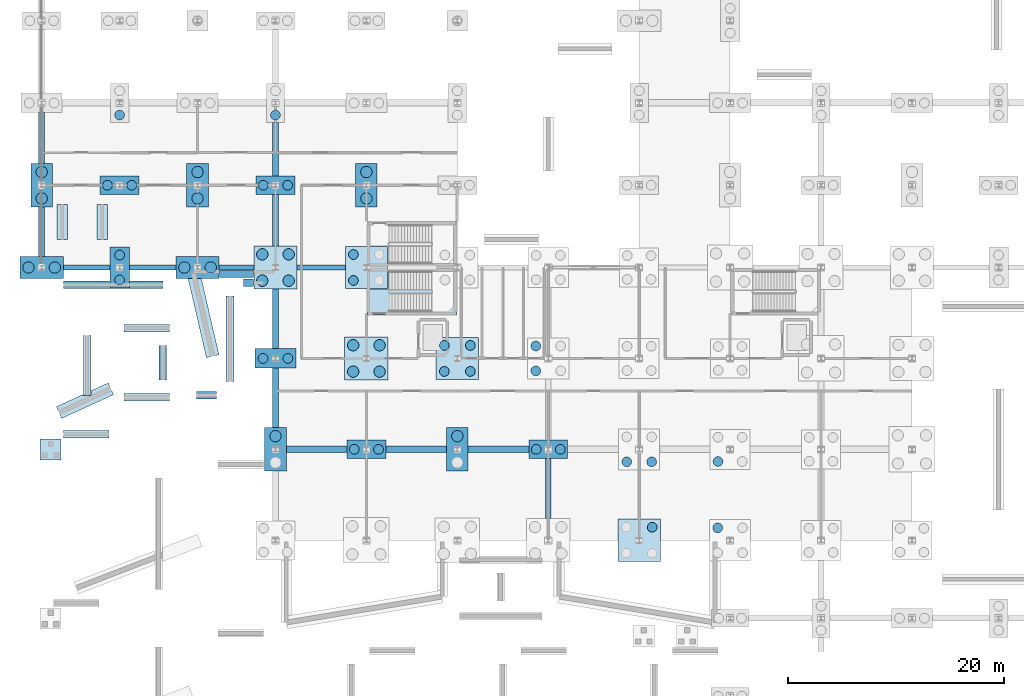
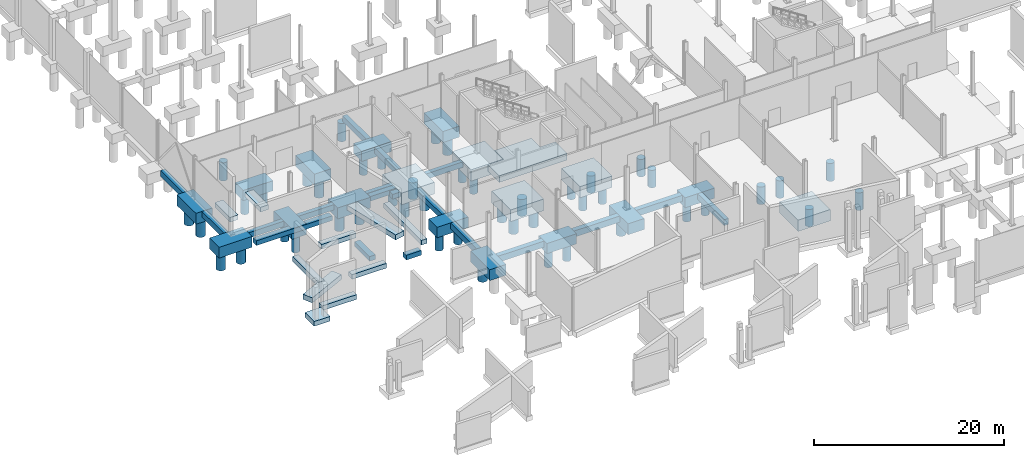
# One storey, part 2 of 61: 48 footings, 47 piles.
"""IFC4 building model written with IfcOpenShell, lengths in metres."""

from ifc_helpers import new_model, si_unit, direction, frame, origin, origin_2d, place, context, subcontext, project, spatial, polyline, rectangle, circle, outline, extrude, material, material_profile, profile_set, type_object, element, save


model = new_model("IFC4")

# Units and contexts
model_context = context("Model", 3, precision=1e-05, world=origin(), true_north=direction((0.0, 1.0)))
body_context = subcontext(model_context, "Body", "Model", "MODEL_VIEW")
ifc_project = project(units=[si_unit("LENGTHUNIT", "METRE"), si_unit("AREAUNIT", "SQUARE_METRE"), si_unit("VOLUMEUNIT", "CUBIC_METRE"), si_unit("PLANEANGLEUNIT", "RADIAN"), si_unit("MASSUNIT", "GRAM", prefix="KILO")], contexts=[model_context])

# Site, building, storey
site_placement = place(None, origin())
site = spatial("IfcSite", under=ifc_project, at=site_placement, CompositionType="ELEMENT")
building_placement = place(site_placement, origin())
building = spatial("IfcBuilding", under=site, at=building_placement, Name="Calvrana Isthmian Art Gallery", CompositionType="ELEMENT")
storey_placement = place(building_placement, frame((0.0, 0.0, -5.39990234375)))
storey = spatial("IfcBuildingStorey", under=building, at=storey_placement, Name="B1", CompositionType="ELEMENT", Elevation=-5.39990234375)

# Footings
ifc_material_1 = material(Name="Concrete C40/50", Category="concrete")
footing_type_1 = type_object("IfcFootingType", Name="FT-MAT-CORE", PredefinedType="PAD_FOOTING", material=ifc_material_1)
footing_1_placement = place(storey_placement, frame((0.0, 0.0, -1.300048828125)))
element("IfcFooting", 1, at=footing_1_placement, inside=storey, type_object=footing_type_1, Name="Core C1 mat footing", PredefinedType="PAD_FOOTING", context=body_context, shape_type="SweptSolid", body=[
    extrude(outline(polyline([(38.320068359375, 42.409912109375), (30.080078125, 42.409912109375), (30.080078125, 44.81005859375), (31.989990234375, 44.81005859375), (31.989990234375, 46.719970703125), (36.4599609375, 46.719970703125), (36.4599609375, 44.860107421875), (38.320068359375, 44.860107421875), (38.320068359375, 42.409912109375)])), origin(), (0.0, 0.0, 1.0), 0.849853515625),
])
ifc_material_2 = material(Name="Concrete C35/45", Category="concrete")
footing_type_2 = type_object("IfcFootingType", Name="FT-PAD-RAMP", PredefinedType="PAD_FOOTING", material=ifc_material_2)
footing_2_placement = place(storey_placement, frame((0.0, 0.0, -1.050048828125)))
element("IfcFooting", 2, at=footing_2_placement, inside=storey, type_object=footing_type_2, Name="Ramp RMP-02 landing pad footing", PredefinedType="PAD_FOOTING", context=body_context, shape_type="SweptSolid", body=[
    extrude(outline(polyline([(1.800048828125, 29.0), (1.800048828125, 30.949951171875), (-0.14990234375, 30.949951171875), (-0.14990234375, 29.0), (1.800048828125, 29.0)])), origin(), (0.0, 0.0, 1.0), 0.599853515625),
])
footing_type_3 = type_object("IfcFootingType", Name="FT-PC-180X380X135", PredefinedType="PILE_CAP", material=ifc_material_2)
footing_3_placement = place(storey_placement, frame((7.199951171875, 46.800048828125, -1.800048828125), z_axis=(0.0, 0.0, 1.0), x_axis=(1.0, 0.0, 0.0)))
element("IfcFooting", 3, at=footing_3_placement, inside=storey, type_object=footing_type_3, Name="Pile cap 02/G", PredefinedType="PILE_CAP", context=body_context, shape_type="SweptSolid", body=[
    extrude(rectangle(XDim=1.800048828125, YDim=3.800048828125, at=origin_2d()), origin(), (0.0, 0.0, 1.0), 1.35009765625),
])
footing_type_4 = type_object("IfcFootingType", Name="FT-PC-200X400X140", PredefinedType="PILE_CAP", material=ifc_material_2)
for number, where, z_axis, x_axis, name in (
    (4, (0.0, 54.39990234375, -1.85009765625), (0.0, 0.0, 1.0), (1.0, 0.0, 0.0), "Pile cap 01/H"),
    (5, (14.39990234375, 54.39990234375, -1.85009765625), (0.0, 0.0, 1.0), (1.0, 0.0, 0.0), "Pile cap 03/H"),
    (6, (21.60009765625, 30.0, -1.85009765625), (0.0, 0.0, 1.0), (1.0, 0.0, 0.0), "Pile cap 04/E"),
    (7, (30.0, 54.39990234375, -1.85009765625), (0.0, 0.0, 1.0), (1.0, 0.0, 0.0), "Pile cap 05/H"),
    (8, (38.39990234375, 30.0, -1.85009765625), (0.0, 0.0, 1.0), (1.0, 0.0, 0.0), "Pile cap 06/E"),
):
    element("IfcFooting", number, at=place(storey_placement, frame(where, z_axis=z_axis, x_axis=x_axis)), inside=storey, type_object=footing_type_4, Name=name, PredefinedType="PILE_CAP", context=body_context, shape_type="SweptSolid", body=[
        extrude(rectangle(XDim=2.0, YDim=4.0, at=origin_2d()), origin(), (0.0, 0.0, 1.0), 1.39990234375),
    ])
footing_type_5 = type_object("IfcFootingType", Name="FT-PC-360X170X130", PredefinedType="PILE_CAP", material=ifc_material_2)
for number, where, z_axis, x_axis, name in (
    (9, (7.199951171875, 54.39990234375, -1.75), (0.0, 0.0, 1.0), (1.0, 0.0, 0.0), "Pile cap 02/H"),
    (10, (21.60009765625, 54.39990234375, -1.75), (0.0, 0.0, 1.0), (1.0, 0.0, 0.0), "Pile cap 04/H"),
    (11, (30.0, 30.0, -1.75), (0.0, 0.0, 1.0), (1.0, 0.0, 0.0), "Pile cap 05/E"),
    (12, (46.800048828125, 30.0, -1.75), (0.0, 0.0, 1.0), (1.0, 0.0, 0.0), "Pile cap 07/E"),
):
    element("IfcFooting", number, at=place(storey_placement, frame(where, z_axis=z_axis, x_axis=x_axis)), inside=storey, type_object=footing_type_5, Name=name, PredefinedType="PILE_CAP", context=body_context, shape_type="SweptSolid", body=[
        extrude(rectangle(XDim=3.60009765625, YDim=1.699951171875, at=origin_2d()), origin(), (0.0, 0.0, 1.0), 1.300048828125),
    ])
footing_type_6 = type_object("IfcFootingType", Name="FT-PC-380X180X135", PredefinedType="PILE_CAP", material=ifc_material_2)
footing_4_placement = place(storey_placement, frame((21.60009765625, 38.39990234375, -1.800048828125), z_axis=(0.0, 0.0, 1.0), x_axis=(1.0, 0.0, 0.0)))
element("IfcFooting", 13, at=footing_4_placement, inside=storey, type_object=footing_type_6, Name="Pile cap 04/F", PredefinedType="PILE_CAP", context=body_context, shape_type="SweptSolid", body=[
    extrude(rectangle(XDim=3.800048828125, YDim=1.800048828125, at=origin_2d()), origin(), (0.0, 0.0, 1.0), 1.35009765625),
])
footing_type_7 = type_object("IfcFootingType", Name="FT-PC-390X390X145", PredefinedType="PILE_CAP", material=ifc_material_2)
for number, where, z_axis, x_axis, name in (
    (14, (30.0, 46.800048828125, -1.89990234375), (0.0, 0.0, 1.0), (1.0, 0.0, 0.0), "Pile cap 05/G"),
    (15, (38.39990234375, 38.39990234375, -1.89990234375), (0.0, 0.0, 1.0), (1.0, 0.0, 0.0), "Pile cap 06/F"),
    (16, (55.199951171875, 21.60009765625, -1.89990234375), (0.0, 0.0, 1.0), (1.0, 0.0, 0.0), "Pile cap 08/D"),
):
    element("IfcFooting", number, at=place(storey_placement, frame(where, z_axis=z_axis, x_axis=x_axis)), inside=storey, type_object=footing_type_7, Name=name, PredefinedType="PILE_CAP", context=body_context, shape_type="SweptSolid", body=[
        extrude(rectangle(XDim=3.89990234375, YDim=3.89990234375, at=origin_2d()), origin(), (0.0, 0.0, 1.0), 1.449951171875),
    ])
footing_type_8 = type_object("IfcFootingType", Name="FT-PC-400X200X140", PredefinedType="PILE_CAP", material=ifc_material_2)
for number, where, z_axis, x_axis, name in (
    (17, (0.0, 46.800048828125, -1.85009765625), (0.0, 0.0, 1.0), (1.0, 0.0, 0.0), "Pile cap 01/G"),
    (18, (14.39990234375, 46.800048828125, -1.85009765625), (0.0, 0.0, 1.0), (1.0, 0.0, 0.0), "Pile cap 03/G"),
):
    element("IfcFooting", number, at=place(storey_placement, frame(where, z_axis=z_axis, x_axis=x_axis)), inside=storey, type_object=footing_type_8, Name=name, PredefinedType="PILE_CAP", context=body_context, shape_type="SweptSolid", body=[
        extrude(rectangle(XDim=4.0, YDim=2.0, at=origin_2d()), origin(), (0.0, 0.0, 1.0), 1.39990234375),
    ])
footing_type_9 = type_object("IfcFootingType", Name="FT-PC-400X400X150", PredefinedType="PILE_CAP", material=ifc_material_2)
for number, where, z_axis, x_axis, name in (
    (19, (21.60009765625, 46.800048828125, -1.9501953125), (0.0, 0.0, 1.0), (1.0, 0.0, 0.0), "Pile cap 04/G"),
    (20, (30.0, 38.39990234375, -1.9501953125), (0.0, 0.0, 1.0), (1.0, 0.0, 0.0), "Pile cap 05/F"),
):
    element("IfcFooting", number, at=place(storey_placement, frame(where, z_axis=z_axis, x_axis=x_axis)), inside=storey, type_object=footing_type_9, Name=name, PredefinedType="PILE_CAP", context=body_context, shape_type="SweptSolid", body=[
        extrude(rectangle(XDim=4.0, YDim=4.0, at=origin_2d()), origin(), (0.0, 0.0, 1.0), 1.5),
    ])
footing_type_10 = type_object("IfcFootingType", Name="FT-SF-1000X600", PredefinedType="STRIP_FOOTING", material=ifc_material_2)
footing_5_placement = place(storey_placement, frame((0.0, 0.0, -1.050048828125)))
element("IfcFooting", 21, at=footing_5_placement, inside=storey, type_object=footing_type_10, Name="Hillside court support wall COURT_STEP_3W-S strip footing", PredefinedType="STRIP_FOOTING", context=body_context, shape_type="SweptSolid", body=[
    extrude(outline(polyline([(2.0, 31.050048828125), (6.199951171875, 31.050048828125), (6.199951171875, 31.75), (2.0, 31.75), (2.0, 31.050048828125)])), origin(), (0.0, 0.0, 1.0), 0.599853515625),
])
footing_6_placement = place(storey_placement, frame((0.0, 0.0, -1.050048828125)))
element("IfcFooting", 22, at=footing_6_placement, inside=storey, type_object=footing_type_10, Name="Hillside court support wall COURT_STEP_3W-N strip footing", PredefinedType="STRIP_FOOTING", context=body_context, shape_type="SweptSolid", body=[
    extrude(outline(polyline([(11.199951171875, 45.550048828125), (11.199951171875, 44.85009765625), (2.0, 44.85009765625), (2.0, 45.550048828125), (6.284912109375, 45.550048828125), (6.284912109375, 44.885009765625), (8.114990234375, 44.885009765625), (8.114990234375, 45.550048828125), (11.199951171875, 45.550048828125)])), origin(), (0.0, 0.0, 1.0), 0.599853515625),
])
footing_7_placement = place(storey_placement, frame((0.0, 0.0, -1.050048828125)))
element("IfcFooting", 23, at=footing_7_placement, inside=storey, type_object=footing_type_10, Name="Hillside court support wall COURT_STEP_3W-M strip footing", PredefinedType="STRIP_FOOTING", context=body_context, shape_type="SweptSolid", body=[
    extrude(outline(polyline([(4.550048828125, 35.0), (4.550048828125, 40.5), (3.85009765625, 40.5), (3.85009765625, 35.0), (4.550048828125, 35.0)])), origin(), (0.0, 0.0, 1.0), 0.599853515625),
])
footing_8_placement = place(storey_placement, frame((0.0, 0.0, -1.050048828125)))
element("IfcFooting", 24, at=footing_8_placement, inside=storey, type_object=footing_type_10, Name="Hillside court support wall COURT_STEP_4W-S strip footing", PredefinedType="STRIP_FOOTING", context=body_context, shape_type="SweptSolid", body=[
    extrude(outline(polyline([(7.60009765625, 34.449951171875), (11.800048828125, 34.449951171875), (11.800048828125, 35.14990234375), (7.60009765625, 35.14990234375), (7.60009765625, 34.449951171875)])), origin(), (0.0, 0.0, 1.0), 0.599853515625),
])
footing_9_placement = place(storey_placement, frame((0.0, 0.0, -1.050048828125)))
element("IfcFooting", 25, at=footing_9_placement, inside=storey, type_object=footing_type_10, Name="Hillside court support wall COURT_STEP_4W-N strip footing", PredefinedType="STRIP_FOOTING", context=body_context, shape_type="SweptSolid", body=[
    extrude(outline(polyline([(7.60009765625, 40.85009765625), (11.800048828125, 40.85009765625), (11.800048828125, 41.550048828125), (7.60009765625, 41.550048828125), (7.60009765625, 40.85009765625)])), origin(), (0.0, 0.0, 1.0), 0.599853515625),
])
footing_10_placement = place(storey_placement, frame((0.0, 0.0, -1.050048828125)))
element("IfcFooting", 26, at=footing_10_placement, inside=storey, type_object=footing_type_10, Name="Hillside court support wall COURT_STEP_4W-M strip footing", PredefinedType="STRIP_FOOTING", context=body_context, shape_type="SweptSolid", body=[
    extrude(outline(polyline([(11.550048828125, 36.39990234375), (11.550048828125, 39.60009765625), (10.85009765625, 39.60009765625), (10.85009765625, 36.39990234375), (11.550048828125, 36.39990234375)])), origin(), (0.0, 0.0, 1.0), 0.599853515625),
])
footing_11_placement = place(storey_placement, frame((0.0, 0.0, -1.050048828125)))
element("IfcFooting", 27, at=footing_11_placement, inside=storey, type_object=footing_type_10, Name="Hillside court support wall COURT_STEP_5W-S strip footing", PredefinedType="STRIP_FOOTING", context=body_context, shape_type="SweptSolid", body=[
    extrude(outline(polyline([(14.300048828125, 34.64990234375), (16.14990234375, 34.64990234375), (16.14990234375, 35.35009765625), (14.300048828125, 35.35009765625), (14.300048828125, 34.64990234375)])), origin(), (0.0, 0.0, 1.0), 0.599853515625),
])
footing_12_placement = place(storey_placement, frame((0.0, 0.0, -1.050048828125)))
element("IfcFooting", 28, at=footing_12_placement, inside=storey, type_object=footing_type_10, Name="Hillside court support wall COURT_STEP_5W-N strip footing", PredefinedType="STRIP_FOOTING", context=body_context, shape_type="SweptSolid", body=[
    extrude(outline(polyline([(18.64990234375, 45.050048828125), (18.64990234375, 45.75), (19.5849609375, 45.75), (19.5849609375, 45.050048828125), (18.64990234375, 45.050048828125)])), origin(), (0.0, 0.0, 1.0), 0.599853515625),
])
footing_13_placement = place(storey_placement, frame((0.0, 0.0, -1.050048828125)))
element("IfcFooting", 29, at=footing_13_placement, inside=storey, type_object=footing_type_10, Name="Hillside court support wall COURT_STEP_5W-M strip footing", PredefinedType="STRIP_FOOTING", context=body_context, shape_type="SweptSolid", body=[
    extrude(outline(polyline([(17.75, 36.25), (17.75, 44.14990234375), (17.050048828125, 44.14990234375), (17.050048828125, 36.25), (17.75, 36.25)])), origin(), (0.0, 0.0, 1.0), 0.599853515625),
])
footing_14_placement = place(storey_placement, frame((0.0, 0.0, -1.050048828125)))
element("IfcFooting", 30, at=footing_14_placement, inside=storey, type_object=footing_type_10, Name="Sunken base return foundation wall PAV_EDU_NW-2 strip footing", PredefinedType="STRIP_FOOTING", context=body_context, shape_type="SweptSolid", body=[
    extrude(outline(polyline([(16.4150390625, 46.534912109375), (19.5849609375, 46.534912109375), (19.5849609375, 45.89990234375), (16.4150390625, 45.89990234375), (16.4150390625, 46.534912109375)])), origin(), (0.0, 0.0, 1.0), 0.599853515625),
])
footing_15_placement = place(storey_placement, frame((0.0, 0.0, -0.60009765625)))
element("IfcFooting", 31, at=footing_15_placement, inside=storey, type_object=footing_type_10, Name="Auditorium raker support wall W strip footing", PredefinedType="STRIP_FOOTING", context=body_context, shape_type="SweptSolid", body=[
    extrude(outline(polyline([(2.39990234375, 49.39990234375), (2.39990234375, 52.60009765625), (1.39990234375, 52.60009765625), (1.39990234375, 49.39990234375), (2.39990234375, 49.39990234375)])), origin(), (0.0, 0.0, 1.0), 0.60009765625),
])
footing_16_placement = place(storey_placement, frame((0.0, 0.0, -0.60009765625)))
element("IfcFooting", 32, at=footing_16_placement, inside=storey, type_object=footing_type_10, Name="Auditorium raker support wall E strip footing", PredefinedType="STRIP_FOOTING", context=body_context, shape_type="SweptSolid", body=[
    extrude(outline(polyline([(6.10009765625, 49.39990234375), (6.10009765625, 52.60009765625), (5.10009765625, 52.60009765625), (5.10009765625, 49.39990234375), (6.10009765625, 49.39990234375)])), origin(), (0.0, 0.0, 1.0), 0.60009765625),
])
footing_type_11 = type_object("IfcFootingType", Name="FT-SF-1200X650", PredefinedType="STRIP_FOOTING", material=ifc_material_2)
footing_17_placement = place(storey_placement, frame((0.0, 0.0, -1.10009765625)))
element("IfcFooting", 33, at=footing_17_placement, inside=storey, type_object=footing_type_11, Name="Angled base foundation wall ACW-03 strip footing", PredefinedType="STRIP_FOOTING", context=body_context, shape_type="SweptSolid", body=[
    extrude(outline(polyline([(16.384521484375, 38.73486328125), (15.21533203125, 38.465087890625), (13.526123046875, 45.784912109375), (14.757568359375, 45.784912109375), (16.384521484375, 38.73486328125)])), origin(), (0.0, 0.0, 1.0), 0.64990234375),
])
footing_18_placement = place(storey_placement, frame((0.0, 0.0, -1.10009765625)))
element("IfcFooting", 34, at=footing_18_placement, inside=storey, type_object=footing_type_11, Name="Angled court foundation wall ACW-06 strip footing", PredefinedType="STRIP_FOOTING", context=body_context, shape_type="SweptSolid", body=[
    extrude(outline(polyline([(6.14990234375, 36.1455078125), (6.64990234375, 35.0546875), (1.85009765625, 32.8544921875), (1.35009765625, 33.9453125), (3.8349609375, 35.08447265625), (3.8349609375, 34.985107421875), (4.56494140625, 34.985107421875), (4.56494140625, 35.4189453125), (6.14990234375, 36.1455078125)])), origin(), (0.0, 0.0, 1.0), 0.64990234375),
])
footing_type_12 = type_object("IfcFootingType", Name="FT-TB-500X700", PredefinedType="FOOTING_BEAM", material=ifc_material_2)
footing_19_placement = place(storey_placement, frame((0.0, 0.0, -1.150146484375)))
element("IfcFooting", 35, at=footing_19_placement, inside=storey, type_object=footing_type_12, Name="Footing tie beam X 00-06", PredefinedType="FOOTING_BEAM", context=body_context, shape_type="SweptSolid", body=[
    extrude(outline(polyline([(2.0, 46.550048828125), (6.300048828125, 46.550048828125), (6.300048828125, 47.050048828125), (2.0, 47.050048828125), (2.0, 46.550048828125)])), origin(), (0.0, 0.0, 1.0), 0.699951171875),
])
footing_20_placement = place(storey_placement, frame((0.0, 0.0, -1.150146484375)))
element("IfcFooting", 36, at=footing_20_placement, inside=storey, type_object=footing_type_12, Name="Footing tie beam X 01-06", PredefinedType="FOOTING_BEAM", context=body_context, shape_type="SweptSolid", body=[
    extrude(outline(polyline([(8.10009765625, 46.550048828125), (12.39990234375, 46.550048828125), (12.39990234375, 47.050048828125), (8.10009765625, 47.050048828125), (8.10009765625, 46.550048828125)])), origin(), (0.0, 0.0, 1.0), 0.699951171875),
])
footing_21_placement = place(storey_placement, frame((0.0, 0.0, -1.150146484375)))
element("IfcFooting", 37, at=footing_21_placement, inside=storey, type_object=footing_type_12, Name="Footing tie beam X 02-06", PredefinedType="FOOTING_BEAM", context=body_context, shape_type="SweptSolid", body=[
    extrude(outline(polyline([(16.39990234375, 46.550048828125), (19.60009765625, 46.550048828125), (19.60009765625, 47.050048828125), (16.39990234375, 47.050048828125), (16.39990234375, 46.550048828125)])), origin(), (0.0, 0.0, 1.0), 0.699951171875),
])
footing_22_placement = place(storey_placement, frame((0.0, 0.0, -1.150146484375)))
element("IfcFooting", 38, at=footing_22_placement, inside=storey, type_object=footing_type_12, Name="Footing tie beam X 03-06", PredefinedType="FOOTING_BEAM", context=body_context, shape_type="SweptSolid", body=[
    extrude(outline(polyline([(23.60009765625, 46.550048828125), (28.050048828125, 46.550048828125), (28.050048828125, 47.050048828125), (23.60009765625, 47.050048828125), (23.60009765625, 46.550048828125)])), origin(), (0.0, 0.0, 1.0), 0.699951171875),
])
footing_type_13 = type_object("IfcFootingType", Name="FT-TB-550X750", PredefinedType="FOOTING_BEAM", material=ifc_material_2)
footing_23_placement = place(storey_placement, frame((0.0, 0.0, -1.2001953125)))
element("IfcFooting", 39, at=footing_23_placement, inside=storey, type_object=footing_type_13, Name="Footing tie beam Y 00-06", PredefinedType="FOOTING_BEAM", context=body_context, shape_type="SweptSolid", body=[
    extrude(outline(polyline([(-0.27490234375, 47.800048828125), (0.27490234375, 47.800048828125), (0.27490234375, 52.39990234375), (-0.27490234375, 52.39990234375), (-0.27490234375, 47.800048828125)])), origin(), (0.0, 0.0, 1.0), 0.75),
])
footing_24_placement = place(storey_placement, frame((0.0, 0.0, -1.2001953125)))
element("IfcFooting", 40, at=footing_24_placement, inside=storey, type_object=footing_type_13, Name="Footing tie beam Y 00-07", PredefinedType="FOOTING_BEAM", context=body_context, shape_type="SweptSolid", body=[
    extrude(outline(polyline([(-0.27490234375, 56.39990234375), (0.27490234375, 56.39990234375), (0.27490234375, 61.10009765625), (-0.27490234375, 61.10009765625), (-0.27490234375, 56.39990234375)])), origin(), (0.0, 0.0, 1.0), 0.75),
])
footing_25_placement = place(storey_placement, frame((0.0, 0.0, -1.2001953125)))
element("IfcFooting", 41, at=footing_25_placement, inside=storey, type_object=footing_type_13, Name="Footing tie beam Y 03-04", PredefinedType="FOOTING_BEAM", context=body_context, shape_type="SweptSolid", body=[
    extrude(outline(polyline([(21.324951171875, 32.0), (21.875, 32.0), (21.875, 37.5), (21.324951171875, 37.5), (21.324951171875, 32.0)])), origin(), (0.0, 0.0, 1.0), 0.75),
])
footing_26_placement = place(storey_placement, frame((0.0, 0.0, -1.2001953125)))
element("IfcFooting", 42, at=footing_26_placement, inside=storey, type_object=footing_type_13, Name="Footing tie beam Y 03-05", PredefinedType="FOOTING_BEAM", context=body_context, shape_type="SweptSolid", body=[
    extrude(outline(polyline([(21.324951171875, 39.300048828125), (21.875, 39.300048828125), (21.875, 44.800048828125), (21.324951171875, 44.800048828125), (21.324951171875, 39.300048828125)])), origin(), (0.0, 0.0, 1.0), 0.75),
])
footing_27_placement = place(storey_placement, frame((0.0, 0.0, -1.2001953125)))
element("IfcFooting", 43, at=footing_27_placement, inside=storey, type_object=footing_type_13, Name="Footing tie beam Y 03-06", PredefinedType="FOOTING_BEAM", context=body_context, shape_type="SweptSolid", body=[
    extrude(outline(polyline([(21.324951171875, 48.800048828125), (21.875, 48.800048828125), (21.875, 53.550048828125), (21.324951171875, 53.550048828125), (21.324951171875, 48.800048828125)])), origin(), (0.0, 0.0, 1.0), 0.75),
])
footing_28_placement = place(storey_placement, frame((0.0, 0.0, -1.2001953125)))
element("IfcFooting", 44, at=footing_28_placement, inside=storey, type_object=footing_type_13, Name="Footing tie beam Y 03-07", PredefinedType="FOOTING_BEAM", context=body_context, shape_type="SweptSolid", body=[
    extrude(outline(polyline([(21.324951171875, 55.25), (21.875, 55.25), (21.875, 60.199951171875), (21.324951171875, 60.199951171875), (21.324951171875, 55.25)])), origin(), (0.0, 0.0, 1.0), 0.75),
])
footing_29_placement = place(storey_placement, frame((0.0, 0.0, -1.2001953125)))
element("IfcFooting", 45, at=footing_29_placement, inside=storey, type_object=footing_type_13, Name="Footing tie beam Y 06-03", PredefinedType="FOOTING_BEAM", context=body_context, shape_type="SweptSolid", body=[
    extrude(outline(polyline([(46.52490234375, 23.60009765625), (47.074951171875, 23.60009765625), (47.074951171875, 29.14990234375), (46.52490234375, 29.14990234375), (46.52490234375, 23.60009765625)])), origin(), (0.0, 0.0, 1.0), 0.75),
])
footing_type_14 = type_object("IfcFootingType", Name="FT-TB-600X800", PredefinedType="FOOTING_BEAM", material=ifc_material_2)
footing_30_placement = place(storey_placement, frame((0.0, 0.0, -1.25)))
element("IfcFooting", 46, at=footing_30_placement, inside=storey, type_object=footing_type_14, Name="Footing tie beam X 03-04", PredefinedType="FOOTING_BEAM", context=body_context, shape_type="SweptSolid", body=[
    extrude(outline(polyline([(22.60009765625, 29.699951171875), (28.199951171875, 29.699951171875), (28.199951171875, 30.300048828125), (22.60009765625, 30.300048828125), (22.60009765625, 29.699951171875)])), origin(), (0.0, 0.0, 1.0), 0.7998046875),
])
footing_31_placement = place(storey_placement, frame((0.0, 0.0, -1.25)))
element("IfcFooting", 47, at=footing_31_placement, inside=storey, type_object=footing_type_14, Name="Footing tie beam X 04-04", PredefinedType="FOOTING_BEAM", context=body_context, shape_type="SweptSolid", body=[
    extrude(outline(polyline([(31.800048828125, 29.699951171875), (37.39990234375, 29.699951171875), (37.39990234375, 30.300048828125), (31.800048828125, 30.300048828125), (31.800048828125, 29.699951171875)])), origin(), (0.0, 0.0, 1.0), 0.7998046875),
])
footing_32_placement = place(storey_placement, frame((0.0, 0.0, -1.25)))
element("IfcFooting", 48, at=footing_32_placement, inside=storey, type_object=footing_type_14, Name="Footing tie beam X 05-04", PredefinedType="FOOTING_BEAM", context=body_context, shape_type="SweptSolid", body=[
    extrude(outline(polyline([(39.39990234375, 29.699951171875), (45.0, 29.699951171875), (45.0, 30.300048828125), (39.39990234375, 30.300048828125), (39.39990234375, 29.699951171875)])), origin(), (0.0, 0.0, 1.0), 0.7998046875),
])

# Piles
ifc_material_profile_1 = material_profile(ifc_material_2, circle(Radius=0.52490234375, at=origin_2d()), Name="PILE1050D")
ifc_profile_set_1 = profile_set([ifc_material_profile_1], Name="Concrete C35/45")
pile_type_1 = type_object("IfcPileType", Name="PILE-D1050", PredefinedType="BORED", material=ifc_profile_set_1)
for number, where, z_axis, x_axis, name in (
    (49, (-1.219970703125, 46.800048828125, -1.75), (0.0, 0.0, -1.0), (1.0, 0.0, 0.0), "Bored pile PL-001"),
    (50, (1.219970703125, 46.800048828125, -1.75), (0.0, 0.0, -1.0), (1.0, 0.0, 0.0), "Bored pile PL-002"),
    (51, (0.0, 53.179931640625, -1.75), (0.0, 0.0, -1.0), (1.0, 0.0, 0.0), "Bored pile PL-003"),
    (52, (0.0, 55.6201171875, -1.75), (0.0, 0.0, -1.0), (1.0, 0.0, 0.0), "Bored pile PL-004"),
    (53, (13.179931640625, 46.800048828125, -1.75), (0.0, 0.0, -1.0), (1.0, 0.0, 0.0), "Bored pile PL-038"),
    (54, (15.6201171875, 46.800048828125, -1.75), (0.0, 0.0, -1.0), (1.0, 0.0, 0.0), "Bored pile PL-039"),
    (55, (14.39990234375, 53.179931640625, -1.75), (0.0, 0.0, -1.0), (1.0, 0.0, 0.0), "Bored pile PL-040"),
    (56, (14.39990234375, 55.6201171875, -1.75), (0.0, 0.0, -1.0), (1.0, 0.0, 0.0), "Bored pile PL-041"),
    (57, (21.60009765625, 31.219970703125, -1.75), (0.0, 0.0, -1.0), (1.0, 0.0, 0.0), "Bored pile PL-061"),
):
    element("IfcPile", number, at=place(storey_placement, frame(where, z_axis=z_axis, x_axis=x_axis)), inside=storey, type_object=pile_type_1, Name=name, PredefinedType="BORED", context=body_context, shape_type="SweptSolid", body=[
        extrude(circle(Radius=0.52490234375, at=origin_2d()), origin(), (0.0, 0.0, 1.0), 2.25),
    ])
for number, where, z_axis, x_axis, name in (
    (58, (20.3798828125, 45.580078125, -1.85009765625), (0.0, 0.0, -1.0), (1.0, 0.0, 0.0), "Bored pile PL-064"),
    (59, (22.820068359375, 45.580078125, -1.85009765625), (0.0, 0.0, -1.0), (1.0, 0.0, 0.0), "Bored pile PL-065"),
    (60, (20.3798828125, 48.02001953125, -1.85009765625), (0.0, 0.0, -1.0), (1.0, 0.0, 0.0), "Bored pile PL-066"),
    (61, (22.820068359375, 48.02001953125, -1.85009765625), (0.0, 0.0, -1.0), (1.0, 0.0, 0.0), "Bored pile PL-067"),
    (62, (28.780029296875, 37.179931640625, -1.85009765625), (0.0, 0.0, -1.0), (1.0, 0.0, 0.0), "Bored pile PL-086"),
    (63, (31.219970703125, 37.179931640625, -1.85009765625), (0.0, 0.0, -1.0), (1.0, 0.0, 0.0), "Bored pile PL-087"),
    (64, (28.780029296875, 39.6201171875, -1.85009765625), (0.0, 0.0, -1.0), (1.0, 0.0, 0.0), "Bored pile PL-088"),
    (65, (31.219970703125, 39.6201171875, -1.85009765625), (0.0, 0.0, -1.0), (1.0, 0.0, 0.0), "Bored pile PL-089"),
):
    element("IfcPile", number, at=place(storey_placement, frame(where, z_axis=z_axis, x_axis=x_axis)), inside=storey, type_object=pile_type_1, Name=name, PredefinedType="BORED", context=body_context, shape_type="SweptSolid", body=[
        extrude(circle(Radius=0.52490234375, at=origin_2d()), origin(), (0.0, 0.0, 1.0), 2.14990234375),
    ])
for number, where, z_axis, x_axis, name in (
    (66, (30.0, 53.179931640625, -1.75), (0.0, 0.0, -1.0), (1.0, 0.0, 0.0), "Bored pile PL-094"),
    (67, (30.0, 55.6201171875, -1.75), (0.0, 0.0, -1.0), (1.0, 0.0, 0.0), "Bored pile PL-095"),
    (68, (38.39990234375, 31.219970703125, -1.75), (0.0, 0.0, -1.0), (1.0, 0.0, 0.0), "Bored pile PL-111"),
):
    element("IfcPile", number, at=place(storey_placement, frame(where, z_axis=z_axis, x_axis=x_axis)), inside=storey, type_object=pile_type_1, Name=name, PredefinedType="BORED", context=body_context, shape_type="SweptSolid", body=[
        extrude(circle(Radius=0.52490234375, at=origin_2d()), origin(), (0.0, 0.0, 1.0), 2.25),
    ])
ifc_material_profile_2 = material_profile(ifc_material_2, circle(Radius=0.449951171875, at=origin_2d()), Name="PILE900D")
ifc_profile_set_2 = profile_set([ifc_material_profile_2], Name="Concrete C35/45")
pile_type_2 = type_object("IfcPileType", Name="PILE-D900", PredefinedType="BORED", material=ifc_profile_set_2)
for number, where, z_axis, x_axis, name in (
    (69, (7.199951171875, 45.64990234375, -1.7001953125), (0.0, 0.0, -1.0), (1.0, 0.0, 0.0), "Bored pile PL-019"),
    (70, (7.199951171875, 47.949951171875, -1.7001953125), (0.0, 0.0, -1.0), (1.0, 0.0, 0.0), "Bored pile PL-020"),
):
    element("IfcPile", number, at=place(storey_placement, frame(where, z_axis=z_axis, x_axis=x_axis)), inside=storey, type_object=pile_type_2, Name=name, PredefinedType="BORED", context=body_context, shape_type="SweptSolid", body=[
        extrude(circle(Radius=0.449951171875, at=origin_2d()), origin(), (0.0, 0.0, 1.0), 2.300048828125),
    ])
for number, where, z_axis, x_axis, name in (
    (71, (6.080078125, 54.39990234375, -1.650146484375), (0.0, 0.0, -1.0), (1.0, 0.0, 0.0), "Bored pile PL-021"),
    (72, (8.320068359375, 54.39990234375, -1.650146484375), (0.0, 0.0, -1.0), (1.0, 0.0, 0.0), "Bored pile PL-022"),
    (73, (7.199951171875, 60.8798828125, -1.650146484375), (0.0, 0.0, -1.0), (1.0, 0.0, 0.0), "Bored pile PL-023"),
):
    element("IfcPile", number, at=place(storey_placement, frame(where, z_axis=z_axis, x_axis=x_axis)), inside=storey, type_object=pile_type_2, Name=name, PredefinedType="BORED", context=body_context, shape_type="SweptSolid", body=[
        extrude(circle(Radius=0.449951171875, at=origin_2d()), origin(), (0.0, 0.0, 1.0), 2.35009765625),
    ])
for number, where, z_axis, x_axis, name in (
    (74, (20.449951171875, 38.39990234375, -1.7001953125), (0.0, 0.0, -1.0), (1.0, 0.0, 0.0), "Bored pile PL-062"),
    (75, (22.75, 38.39990234375, -1.7001953125), (0.0, 0.0, -1.0), (1.0, 0.0, 0.0), "Bored pile PL-063"),
):
    element("IfcPile", number, at=place(storey_placement, frame(where, z_axis=z_axis, x_axis=x_axis)), inside=storey, type_object=pile_type_2, Name=name, PredefinedType="BORED", context=body_context, shape_type="SweptSolid", body=[
        extrude(circle(Radius=0.449951171875, at=origin_2d()), origin(), (0.0, 0.0, 1.0), 2.300048828125),
    ])
for number, where, z_axis, x_axis, name in (
    (76, (20.47998046875, 54.39990234375, -1.650146484375), (0.0, 0.0, -1.0), (1.0, 0.0, 0.0), "Bored pile PL-068"),
    (77, (22.719970703125, 54.39990234375, -1.650146484375), (0.0, 0.0, -1.0), (1.0, 0.0, 0.0), "Bored pile PL-069"),
    (78, (21.60009765625, 60.8798828125, -1.650146484375), (0.0, 0.0, -1.0), (1.0, 0.0, 0.0), "Bored pile PL-070"),
    (79, (28.8798828125, 30.0, -1.650146484375), (0.0, 0.0, -1.0), (1.0, 0.0, 0.0), "Bored pile PL-084"),
    (80, (31.1201171875, 30.0, -1.650146484375), (0.0, 0.0, -1.0), (1.0, 0.0, 0.0), "Bored pile PL-085"),
):
    element("IfcPile", number, at=place(storey_placement, frame(where, z_axis=z_axis, x_axis=x_axis)), inside=storey, type_object=pile_type_2, Name=name, PredefinedType="BORED", context=body_context, shape_type="SweptSolid", body=[
        extrude(circle(Radius=0.449951171875, at=origin_2d()), origin(), (0.0, 0.0, 1.0), 2.35009765625),
    ])
for number, where, z_axis, x_axis, name in (
    (81, (28.800048828125, 45.60009765625, -1.800048828125), (0.0, 0.0, -1.0), (1.0, 0.0, 0.0), "Bored pile PL-090"),
    (82, (28.800048828125, 48.0, -1.800048828125), (0.0, 0.0, -1.0), (1.0, 0.0, 0.0), "Bored pile PL-092"),
    (83, (37.199951171875, 37.199951171875, -1.800048828125), (0.0, 0.0, -1.0), (1.0, 0.0, 0.0), "Bored pile PL-112"),
    (84, (39.60009765625, 37.199951171875, -1.800048828125), (0.0, 0.0, -1.0), (1.0, 0.0, 0.0), "Bored pile PL-113"),
    (85, (37.199951171875, 39.60009765625, -1.800048828125), (0.0, 0.0, -1.0), (1.0, 0.0, 0.0), "Bored pile PL-114"),
    (86, (39.60009765625, 39.60009765625, -1.800048828125), (0.0, 0.0, -1.0), (1.0, 0.0, 0.0), "Bored pile PL-115"),
):
    element("IfcPile", number, at=place(storey_placement, frame(where, z_axis=z_axis, x_axis=x_axis)), inside=storey, type_object=pile_type_2, Name=name, PredefinedType="BORED", context=body_context, shape_type="SweptSolid", body=[
        extrude(circle(Radius=0.449951171875, at=origin_2d()), origin(), (0.0, 0.0, 1.0), 2.199951171875),
    ])
for number, where, z_axis, x_axis, name in (
    (87, (45.679931640625, 30.0, -1.650146484375), (0.0, 0.0, -1.0), (1.0, 0.0, 0.0), "Bored pile PL-135"),
    (88, (47.919921875, 30.0, -1.650146484375), (0.0, 0.0, -1.0), (1.0, 0.0, 0.0), "Bored pile PL-136"),
):
    element("IfcPile", number, at=place(storey_placement, frame(where, z_axis=z_axis, x_axis=x_axis)), inside=storey, type_object=pile_type_2, Name=name, PredefinedType="BORED", context=body_context, shape_type="SweptSolid", body=[
        extrude(circle(Radius=0.449951171875, at=origin_2d()), origin(), (0.0, 0.0, 1.0), 2.35009765625),
    ])
for number, where, z_axis, x_axis, name in (
    (89, (45.64990234375, 37.25, -1.75), (0.0, 0.0, -1.0), (1.0, 0.0, 0.0), "Bored pile PL-137"),
    (90, (45.64990234375, 39.550048828125, -1.75), (0.0, 0.0, -1.0), (1.0, 0.0, 0.0), "Bored pile PL-139"),
):
    element("IfcPile", number, at=place(storey_placement, frame(where, z_axis=z_axis, x_axis=x_axis)), inside=storey, type_object=pile_type_2, Name=name, PredefinedType="BORED", context=body_context, shape_type="SweptSolid", body=[
        extrude(circle(Radius=0.449951171875, at=origin_2d()), origin(), (0.0, 0.0, 1.0), 2.25),
    ])
pile_1_placement = place(storey_placement, frame((56.39990234375, 22.800048828125, -1.800048828125), z_axis=(0.0, 0.0, -1.0), x_axis=(1.0, 0.0, 0.0)))
element("IfcPile", 91, at=pile_1_placement, inside=storey, type_object=pile_type_2, Name="Bored pile PL-154", PredefinedType="BORED", context=body_context, shape_type="SweptSolid", body=[
    extrude(circle(Radius=0.449951171875, at=origin_2d()), origin(), (0.0, 0.0, 1.0), 2.199951171875),
])
for number, where, z_axis, x_axis, name in (
    (92, (54.050048828125, 28.85009765625, -1.75), (0.0, 0.0, -1.0), (1.0, 0.0, 0.0), "Bored pile PL-155"),
    (93, (56.35009765625, 28.85009765625, -1.75), (0.0, 0.0, -1.0), (1.0, 0.0, 0.0), "Bored pile PL-156"),
    (94, (62.449951171875, 22.75, -1.75), (0.0, 0.0, -1.0), (1.0, 0.0, 0.0), "Bored pile PL-192"),
):
    element("IfcPile", number, at=place(storey_placement, frame(where, z_axis=z_axis, x_axis=x_axis)), inside=storey, type_object=pile_type_2, Name=name, PredefinedType="BORED", context=body_context, shape_type="SweptSolid", body=[
        extrude(circle(Radius=0.449951171875, at=origin_2d()), origin(), (0.0, 0.0, 1.0), 2.25),
    ])
pile_2_placement = place(storey_placement, frame((62.47998046875, 28.8798828125, -1.7001953125), z_axis=(0.0, 0.0, -1.0), x_axis=(1.0, 0.0, 0.0)))
element("IfcPile", 95, at=pile_2_placement, inside=storey, type_object=pile_type_2, Name="Bored pile PL-194", PredefinedType="BORED", context=body_context, shape_type="SweptSolid", body=[
    extrude(circle(Radius=0.449951171875, at=origin_2d()), origin(), (0.0, 0.0, 1.0), 2.300048828125),
])

save(model, "model.ifc")
